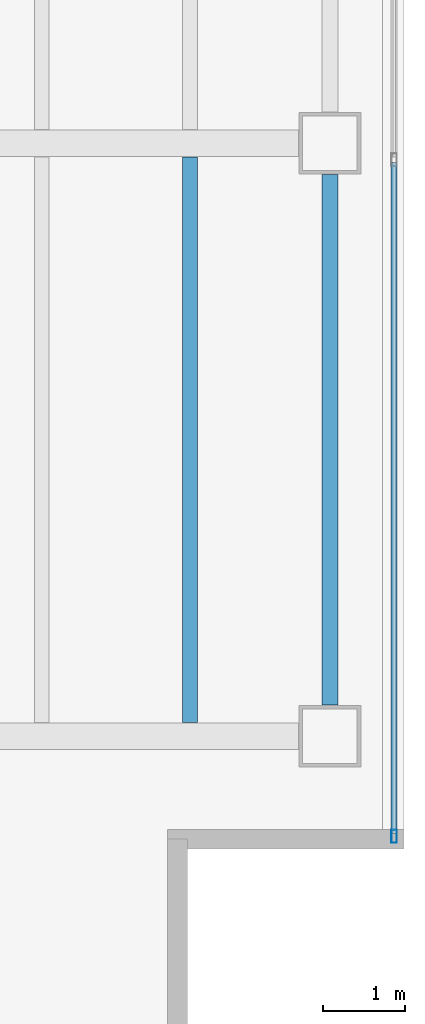
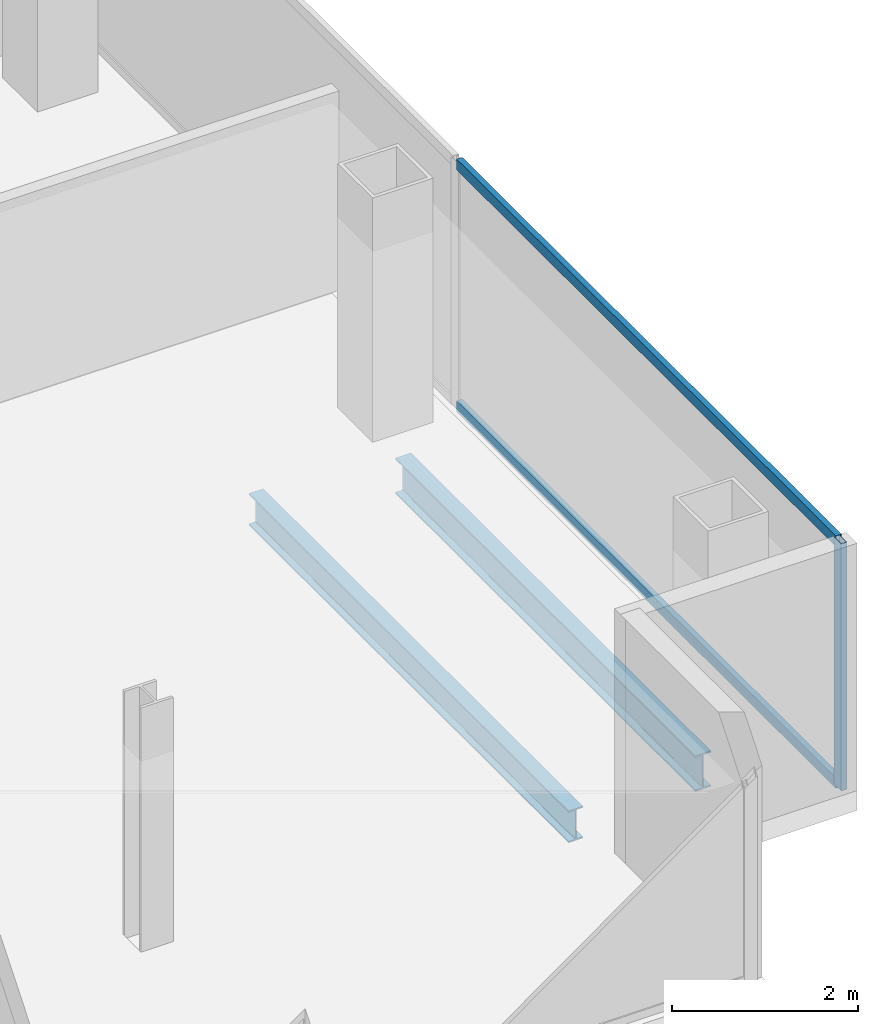
# One storey, part 12 of 23: 3 members, 2 beams, 1 element without a shape of its own.
"""IFC4 building model written with IfcOpenShell, lengths in metres."""

import ifcopenshell
import ifcopenshell.guid

model = None  # the IFC model being written
_history = None  # IfcOwnerHistory: only IFC2X3 demands one
_inside = {}  # id of a spatial element -> (the spatial element, [elements in it])
_under = {}  # id of a project, library or spatial element -> (it, [spatial elements below it])
_declared = {}  # id of a project -> (the project, [libraries it declares])
_typed = {}  # id of a type object -> (the type object, [elements of that type])
_made_of = {}  # id of a material, layer set ... -> (it, [elements and type objects made of it])


def new_model(schema):
    """Start an empty IFC model of exactly this schema.

    Asked for "IFC4X3", IfcOpenShell would pick the latest addendum, in which some entities
    have other attributes; the version numbers below select the first issue.
    IFC2X3 requires an IfcOwnerHistory on every rooted entity: one is made here for all.
    """
    global model, _history
    if schema == "IFC4X3":
        model = ifcopenshell.file(schema_version=(4, 3, 0, 0))
    else:
        model = ifcopenshell.file(schema=schema)
    _inside.clear()
    _under.clear()
    _declared.clear()
    _typed.clear()
    _made_of.clear()
    _history = None
    if model.schema == "IFC2X3":
        org = make("IfcOrganization", Name="unknown")
        user = make(
            "IfcPersonAndOrganization",
            ThePerson=make("IfcPerson", FamilyName="unknown"),
            TheOrganization=org,
        )
        app = make(
            "IfcApplication",
            ApplicationDeveloper=org,
            Version="unknown",
            ApplicationFullName="unknown",
            ApplicationIdentifier="unknown",
        )
        _history = make(
            "IfcOwnerHistory",
            OwningUser=user,
            OwningApplication=app,
            ChangeAction="ADDED",
            CreationDate=0,
        )
    return model


def make(cls, **values):
    """One entity of the class cls with the attributes given. An attribute that is None is left unset."""
    return model.create_entity(
        cls, **{name: value for name, value in values.items() if value is not None}
    )


def rooted(cls, **values):
    """An entity with a GlobalId (a new one), such as an element, a storey or a relation."""
    return make(cls, GlobalId=ifcopenshell.guid.new(), OwnerHistory=_history, **values)


def si_unit(unit_type, name, prefix=None):
    """IfcSIUnit, for example si_unit("LENGTHUNIT", "METRE", prefix="MILLI")."""
    return make("IfcSIUnit", UnitType=unit_type, Prefix=prefix, Name=name)


def assignment(units):
    """IfcUnitAssignment: the units of a project."""
    return None if units is None else make("IfcUnitAssignment", Units=units)


def point(xyz):
    """IfcCartesianPoint."""
    return None if xyz is None else make("IfcCartesianPoint", Coordinates=xyz)


def direction(xyz):
    """IfcDirection."""
    return None if xyz is None else make("IfcDirection", DirectionRatios=xyz)


def frame(location, z_axis=None, x_axis=None):
    """IfcAxis2Placement3D, a coordinate frame: its origin and axes. An axis left out is left unset."""
    return make(
        "IfcAxis2Placement3D",
        Location=point(location),
        Axis=direction(z_axis),
        RefDirection=direction(x_axis),
    )


def frame_2d(location, x_axis=None):
    """IfcAxis2Placement2D, a coordinate frame in the plane: its origin and x axis."""
    return make(
        "IfcAxis2Placement2D", Location=point(location), RefDirection=direction(x_axis)
    )


def origin():
    """The frame at (0, 0, 0) with its axes left unset."""
    return frame((0.0, 0.0, 0.0))


def origin_2d():
    """The frame at (0, 0) in the plane with its x axis left unset."""
    return frame_2d((0.0, 0.0))


def place(relative_to, where):
    """IfcLocalPlacement: puts the frame where relative to a parent placement (None: the world)."""
    return make(
        "IfcLocalPlacement", PlacementRelTo=relative_to, RelativePlacement=where
    )


def context(
    kind, dimensions, precision=None, world=None, true_north=None, identifier=None
):
    """IfcGeometricRepresentationContext, for example the 3D "Model" context."""
    return make(
        "IfcGeometricRepresentationContext",
        ContextIdentifier=identifier,
        ContextType=kind,
        CoordinateSpaceDimension=dimensions,
        Precision=precision,
        WorldCoordinateSystem=world,
        TrueNorth=true_north,
    )


def subcontext(parent, identifier, kind, view, scale=None):
    """IfcGeometricRepresentationSubContext, for example "Body" below "Model"."""
    return make(
        "IfcGeometricRepresentationSubContext",
        ContextIdentifier=identifier,
        ContextType=kind,
        ParentContext=parent,
        TargetScale=scale,
        TargetView=view,
    )


def project(units=None, contexts=None):
    """IfcProject with its units and contexts."""
    return rooted(
        "IfcProject",
        Name="project",
        RepresentationContexts=contexts,
        UnitsInContext=assignment(units),
    )


def spatial(cls, under=None, at=None, **own):
    """A site, building, storey or space (cls), placed at a placement, below another one or the project."""
    s = rooted(cls, ObjectPlacement=at, **own)
    if under is not None:
        _under.setdefault(under.id(), (under, []))[1].append(s)
    return s


def profile(cls, at=None, kind="AREA", **sizes):
    """A parametric profile (cls). Its sizes go by their IFC names, for example OverallWidth=200.0."""
    return make(cls, ProfileType=kind, Position=at, **sizes)


def hollow_rectangle(**sizes):
    """IfcRectangleHollowProfileDef."""
    return profile("IfcRectangleHollowProfileDef", **sizes)


def i_section(**sizes):
    """IfcIShapeProfileDef."""
    return profile("IfcIShapeProfileDef", **sizes)


def extrude(swept, where, along, depth):
    """IfcExtrudedAreaSolid: the profile swept, set in the frame where, extruded along a direction by depth."""
    return make(
        "IfcExtrudedAreaSolid",
        SweptArea=swept,
        Position=where,
        ExtrudedDirection=direction(along),
        Depth=depth,
    )


def shape(context_of_items, identifier, shape_type, items):
    """IfcShapeRepresentation: the items that make up one representation, for example the "Body"."""
    return make(
        "IfcShapeRepresentation",
        ContextOfItems=context_of_items,
        RepresentationIdentifier=identifier,
        RepresentationType=shape_type,
        Items=items,
    )


def material(Name=None, Category=None):
    """IfcMaterial."""
    return make("IfcMaterial", Name=Name, Category=Category)


def material_profile(
    of_material, cross_section, Name=None, Category=None, Priority=None
):
    """IfcMaterialProfile: a cross section and its material."""
    return make(
        "IfcMaterialProfile",
        Name=Name,
        Material=of_material,
        Profile=cross_section,
        Priority=Priority,
        Category=Category,
    )


def profile_set(profiles, Name=None, composite=None):
    """IfcMaterialProfileSet."""
    return make(
        "IfcMaterialProfileSet",
        Name=Name,
        MaterialProfiles=profiles,
        CompositeProfile=composite,
    )


def made_of(thing, what):
    """Note that an element or type object is made of a material, layer set ...; save() writes the relation."""
    if what is not None:
        _made_of.setdefault(what.id(), (what, []))[1].append(thing)
    return thing


def type_object(cls, material=None, **own):
    """A type object (cls), such as IfcWallType, which elements share."""
    return made_of(rooted(cls, **own), material)


def element(
    cls,
    number,
    at=None,
    inside=None,
    cuts=None,
    type_object=None,
    material=None,
    context=None,
    identifier="Body",
    shape_type=None,
    held_by="IfcProductDefinitionShape",
    body=None,
    shapes=None,
    **own,
):
    """One element of the class cls, such as IfcWall. Its Tag is "e" and its number.

    at: its placement. inside: the storey or other place that contains it. cuts: it is an
    opening in that element (IfcRelVoidsElement). A single representation is given by context,
    identifier, shape_type and body (its items); several are given by shapes. held_by: the class
    of the entity that holds the representations. save() writes the other relations.
    """
    e = rooted(cls, Tag="e%d" % number, ObjectPlacement=at, **own)
    if body is not None:
        shapes = [shape(context, identifier, shape_type, body)]
    if shapes is not None:
        e.Representation = make(held_by, Representations=shapes)
    if inside is not None:
        _inside.setdefault(inside.id(), (inside, []))[1].append(e)
    if cuts is not None:
        rooted(
            "IfcRelVoidsElement", RelatingBuildingElement=cuts, RelatedOpeningElement=e
        )
    if type_object is not None:
        _typed.setdefault(type_object.id(), (type_object, []))[1].append(e)
    return made_of(e, material)


def aggregate(whole, parts):
    """IfcRelAggregates: a whole, such as a stair, and the parts it consists of."""
    return rooted("IfcRelAggregates", RelatingObject=whole, RelatedObjects=parts)


def save(model, path):
    """Write the relations noted so far, then the file.

    IfcRelAggregates (storeys below a building ...), IfcRelContainedInSpatialStructure (elements
    in a storey), IfcRelDefinesByType, IfcRelAssociatesMaterial and IfcRelDeclares: one each for
    every whole, place, type object, material and project.
    """
    for whole, parts in _under.values():
        aggregate(whole, parts)
    for where, things in _inside.values():
        rooted(
            "IfcRelContainedInSpatialStructure",
            RelatedElements=things,
            RelatingStructure=where,
        )
    for kind, things in _typed.values():
        rooted("IfcRelDefinesByType", RelatedObjects=things, RelatingType=kind)
    for what, things in _made_of.values():
        rooted("IfcRelAssociatesMaterial", RelatedObjects=things, RelatingMaterial=what)
    for by, libraries in _declared.values():
        rooted("IfcRelDeclares", RelatingContext=by, RelatedDefinitions=libraries)
    model.write(path)


model = new_model("IFC4")

# Units and contexts
model_context = context("Model", 3, precision=1e-05, world=origin(), true_north=direction((0.0, 1.0)))
body_context = subcontext(model_context, "Body", "Model", "MODEL_VIEW")
ifc_project = project(units=[si_unit("LENGTHUNIT", "METRE"), si_unit("AREAUNIT", "SQUARE_METRE"), si_unit("VOLUMEUNIT", "CUBIC_METRE"), si_unit("PLANEANGLEUNIT", "RADIAN"), si_unit("MASSUNIT", "GRAM", prefix="KILO")], contexts=[model_context])

# Site, building, storey
site_placement = place(None, origin())
site = spatial("IfcSite", under=ifc_project, at=site_placement, CompositionType="ELEMENT")
building_placement = place(site_placement, origin())
building = spatial("IfcBuilding", under=site, at=building_placement, Name="Cobrela Telecom Tower", CompositionType="ELEMENT")
storey_placement = place(building_placement, frame((0.0, 0.0, 208.25)))
storey = spatial("IfcBuildingStorey", under=building, at=storey_placement, Name="L53", CompositionType="ELEMENT", Elevation=208.25)

# Beams
ifc_material_1 = material(Name="Steel ASTM A992 Grade 50", Category="steel")
ifc_material_profile_1 = material_profile(ifc_material_1, i_section(OverallWidth=0.179931640625, OverallDepth=0.4169921875, WebThickness=0.010986328125, FlangeThickness=0.01806640625, FilletRadius=0.011962890625, at=origin_2d()), Name="W16X57")
ifc_profile_set_1 = profile_set([ifc_material_profile_1], Name="Steel ASTM A992 Grade 50")
beam_type_1 = type_object("IfcBeamType", Name="BM-JOIST-04", PredefinedType="JOIST", material=ifc_profile_set_1)
beam_1_placement = place(storey_placement, frame((41.39990234375, 7.367431640625, -0.468505859375), z_axis=(0.0, 1.0, 0.0), x_axis=(-1.0, 0.0, 0.0)))
element("IfcBeam", 1, at=beam_1_placement, inside=storey, type_object=beam_type_1, Name="L53 Secondary Composite Floor Beam J29", PredefinedType="JOIST", context=body_context, shape_type="SweptSolid", body=[
    extrude(i_section(OverallWidth=0.179931640625, OverallDepth=0.4169921875, WebThickness=0.010986328125, FlangeThickness=0.01806640625, FilletRadius=0.011962890625, at=origin_2d()), origin(), (0.0, 0.0, 1.0), 6.864990234375),
])
ifc_material_profile_2 = material_profile(ifc_material_1, i_section(OverallWidth=0.193115234375, OverallDepth=0.467041015625, WebThickness=0.011474609375, FlangeThickness=0.01904296875, FilletRadius=0.012939453125, at=origin_2d()), Name="W18X65")
ifc_profile_set_2 = profile_set([ifc_material_profile_2], Name="Steel ASTM A992 Grade 50")
beam_type_2 = type_object("IfcBeamType", Name="BM-SPAND-05", PredefinedType="SPANDREL", material=ifc_profile_set_2)
beam_2_placement = place(storey_placement, frame((43.10009765625, 7.580078125, -0.493408203125), z_axis=(0.0, 1.0, 0.0), x_axis=(-1.0, 0.0, 0.0)))
element("IfcBeam", 2, at=beam_2_placement, inside=storey, type_object=beam_type_2, Name="L53 Perimeter Spandrel Y42", PredefinedType="SPANDREL", context=body_context, shape_type="SweptSolid", body=[
    extrude(i_section(OverallWidth=0.193115234375, OverallDepth=0.467041015625, WebThickness=0.011474609375, FlangeThickness=0.01904296875, FilletRadius=0.012939453125, at=origin_2d()), origin(), (0.0, 0.0, 1.0), 6.43994140625),
])

# Curtain wall, members
ifc_material_2 = material(Name="Anodized Bronze Aluminium 6063-T6", Category="aluminium")
curtain_wall_type = type_object("IfcCurtainWallType", Name="CW-SYS-OFF-LO", PredefinedType="USERDEFINED", material=ifc_material_2)
curtain_wall_placement = place(storey_placement, origin())
curtain_wall = element("IfcCurtainWall", 3, at=curtain_wall_placement, inside=storey, type_object=curtain_wall_type, Name="L53 Unitised Bronze Curtain Wall 14", ObjectType="UNITISED CURTAIN WALL", PredefinedType="USERDEFINED")
ifc_material_profile_3 = material_profile(ifc_material_2, hollow_rectangle(XDim=0.070068359375, YDim=0.159912109375, WallThickness=0.00390625, at=origin_2d()), Name="ALU 70x160x4")
ifc_profile_set_3 = profile_set([ifc_material_profile_3], Name="Anodized Bronze Aluminium 6063-T6")
member_type_1 = type_object("IfcMemberType", Name="CW-SYS-OFF-LO-MUL", PredefinedType="MULLION", material=ifc_profile_set_3)
member_1_placement = place(storey_placement, frame((43.8798828125, 5.985107421875, 0.0), z_axis=(0.0, 0.0, 1.0), x_axis=(1.0, 0.0, 0.0)))
member_1 = element("IfcMember", 4, at=member_1_placement, type_object=member_type_1, Name="CW-OFF-LO mullion 3", PredefinedType="MULLION", context=body_context, shape_type="SweptSolid", body=[
    extrude(hollow_rectangle(XDim=0.070068359375, YDim=0.159912109375, WallThickness=0.00390625, at=origin_2d()), origin(), (0.0, 0.0, 1.0), 3.239990234375),
])
ifc_material_profile_4 = material_profile(ifc_material_2, hollow_rectangle(XDim=0.070068359375, YDim=0.139892578125, WallThickness=0.00390625, at=origin_2d()), Name="ALU 70x140x4")
ifc_profile_set_4 = profile_set([ifc_material_profile_4], Name="Anodized Bronze Aluminium 6063-T6")
member_type_2 = type_object("IfcMemberType", Name="CW-SYS-OFF-LO-TRN", PredefinedType="USERDEFINED", material=ifc_profile_set_4)
member_2_placement = place(storey_placement, frame((43.8798828125, 14.1650390625, 0.034912109375), z_axis=(0.0, -1.0, 0.0), x_axis=(1.0, 0.0, 0.0)))
member_2 = element("IfcMember", 5, at=member_2_placement, type_object=member_type_2, Name="CW-OFF-LO transom 2.1", ObjectType="TRANSOM", PredefinedType="USERDEFINED", context=body_context, shape_type="SweptSolid", body=[
    extrude(hollow_rectangle(XDim=0.070068359375, YDim=0.139892578125, WallThickness=0.00390625, at=origin_2d()), origin(), (0.0, 0.0, 1.0), 8.14501953125),
])
member_3_placement = place(storey_placement, frame((43.8798828125, 14.1650390625, 3.205078125), z_axis=(0.0, -1.0, 0.0), x_axis=(1.0, 0.0, 0.0)))
member_3 = element("IfcMember", 6, at=member_3_placement, type_object=member_type_2, Name="CW-OFF-LO transom 2.2", ObjectType="TRANSOM", PredefinedType="USERDEFINED", context=body_context, shape_type="SweptSolid", body=[
    extrude(hollow_rectangle(XDim=0.070068359375, YDim=0.139892578125, WallThickness=0.00390625, at=origin_2d()), origin(), (0.0, 0.0, 1.0), 8.14501953125),
])
aggregate(curtain_wall, [member_1, member_2, member_3])

save(model, "model.ifc")
